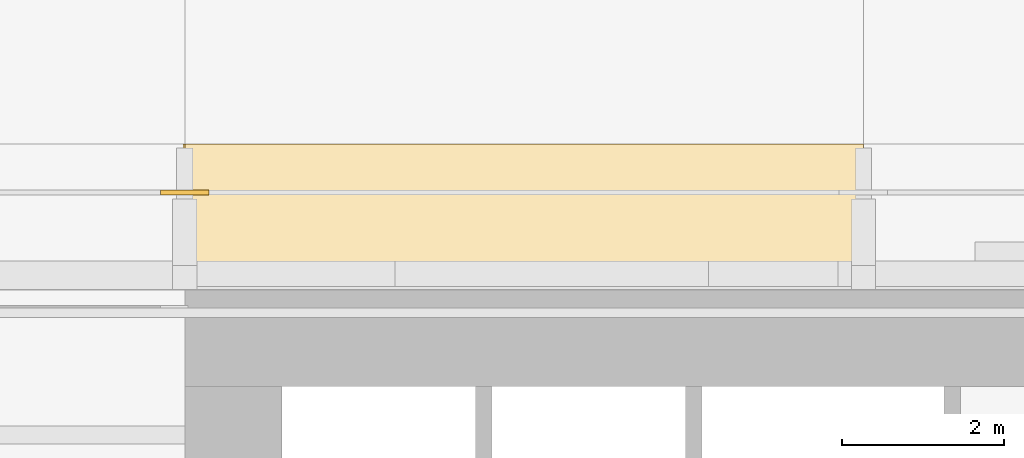
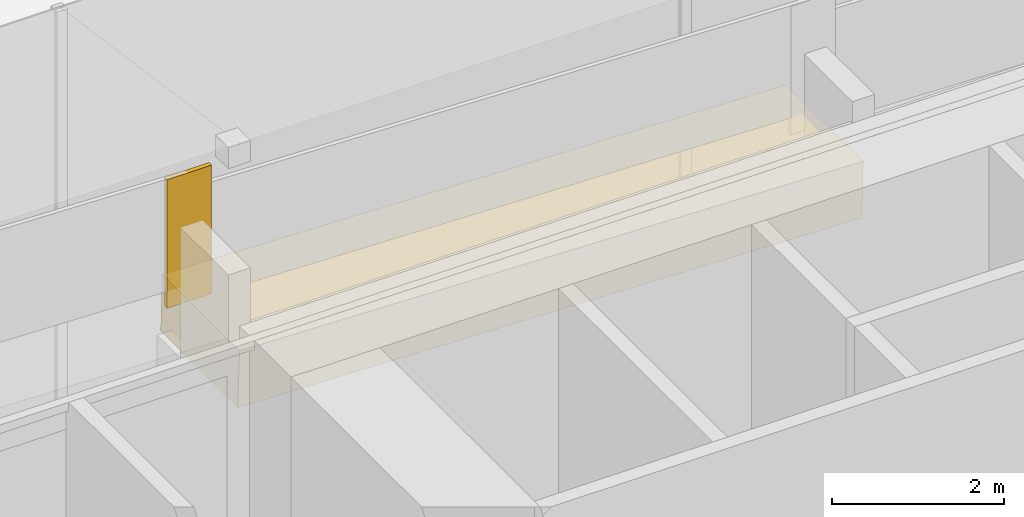
# One storey, part 39 of 60: 1 covering, 1 railing.
"""IFC4 building model written with IfcOpenShell, lengths in metres."""

from ifc_helpers import new_model, si_unit, direction, frame, origin, origin_2d, place, context, subcontext, project, spatial, polyline, rectangle, outline, extrude, material, layer, layer_set, type_object, element, save


model = new_model("IFC4")

# Units and contexts
model_context = context("Model", 3, precision=1e-05, world=origin(), true_north=direction((0.0, 1.0)))
body_context = subcontext(model_context, "Body", "Model", "MODEL_VIEW")
ifc_project = project(units=[si_unit("LENGTHUNIT", "METRE"), si_unit("AREAUNIT", "SQUARE_METRE"), si_unit("VOLUMEUNIT", "CUBIC_METRE"), si_unit("PLANEANGLEUNIT", "RADIAN"), si_unit("MASSUNIT", "GRAM", prefix="KILO")], contexts=[model_context])

# Site, building, storey
site_placement = place(None, origin())
site = spatial("IfcSite", under=ifc_project, at=site_placement, CompositionType="ELEMENT")
building_placement = place(site_placement, origin())
building = spatial("IfcBuilding", under=site, at=building_placement, Name="Saffron Gate Tower", CompositionType="ELEMENT")
storey_placement = place(building_placement, frame((0.0, 0.0, 19.199951171875)))
storey = spatial("IfcBuildingStorey", under=building, at=storey_placement, Name="L03", CompositionType="ELEMENT", Elevation=19.199951171875)

# Covering
ifc_material = material(Name="Timber, thermally modified ash", Category="wood")
ifc_layer = layer(ifc_material, 0.800048828125)
ifc_layer_set = layer_set([ifc_layer], Name="LD1 ledge timber")
covering_type = type_object("IfcCoveringType", Name="LD1 ledge timber", PredefinedType="CLADDING", material=ifc_layer_set)
covering_placement = place(storey_placement, frame((75.0, 75.60009765625, 3.603515625), z_axis=(0.028791175352, 0.0, 0.999585448184), x_axis=(-0.999585448184, 0.0, 0.028791175352)))
element("IfcCovering", 1, at=covering_placement, inside=storey, type_object=covering_type, Name="LEDGE", PredefinedType="CLADDING", context=body_context, shape_type="SweptSolid", body=[
    extrude(outline(polyline([(0.0, 0.0), (8.403385982666892, 0.0), (8.403385982666892, -1.7998046875), (0.0, -1.7998046875), (0.0, 0.0)])), origin(), (0.0, 0.0, -1.0), 0.800048828125),
])

# Railing
railing_type = type_object("IfcRailingType", Name="LG1 ledge balustrade", PredefinedType="BALUSTRADE", material=ifc_material)
railing_placement = place(storey_placement, frame((66.89990234375, 76.800048828125, 3.845458984375)))
element("IfcRailing", 2, at=railing_placement, inside=storey, type_object=railing_type, Name="LEDGE BALUSTRADE", PredefinedType="BALUSTRADE", context=body_context, shape_type="SweptSolid", body=[
    extrude(rectangle(XDim=0.06005859375, YDim=1.8310546875, at=origin_2d()), frame((0.0, 0.0, 0.91552734375), z_axis=(-1.0, 0.0, 0.0), x_axis=(0.0, -1.0, 0.0)), (0.0, 0.0, 1.0), 0.599853515625),
])

save(model, "model.ifc")
